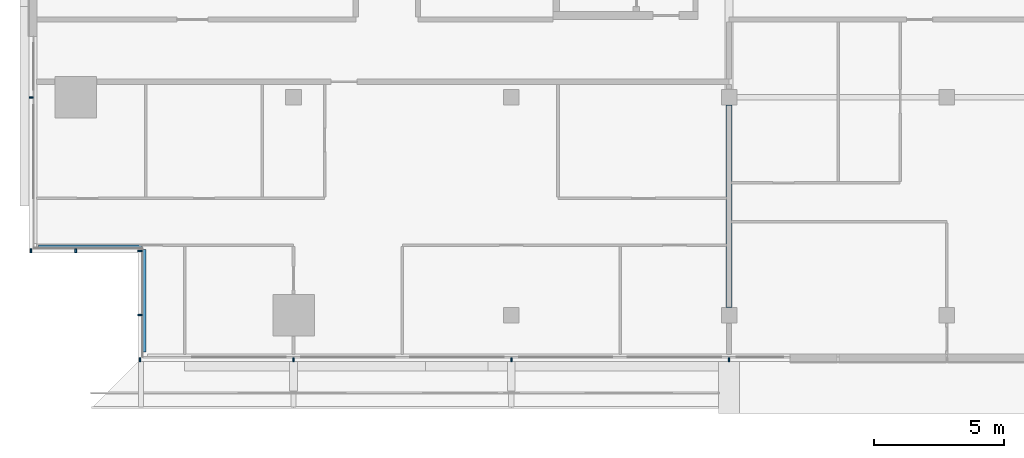
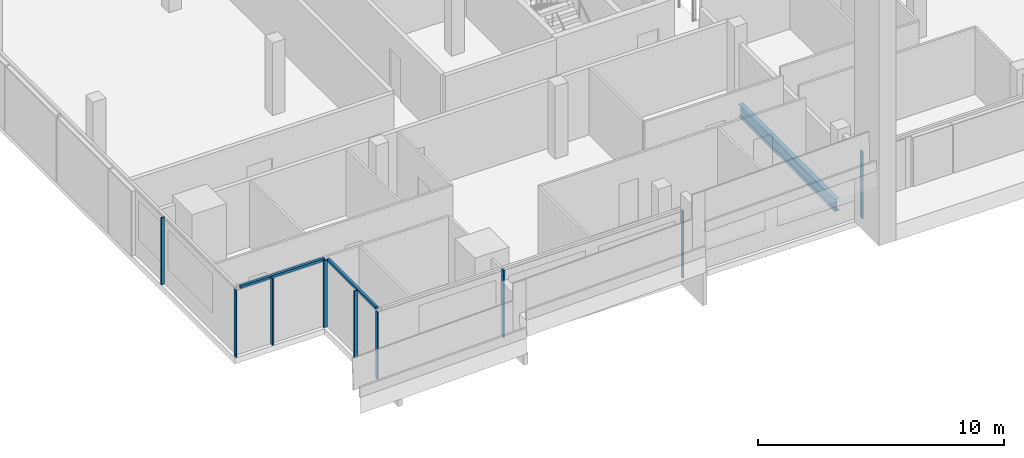
# One storey, part 2 of 31: 11 members, 1 beam, 4 elements without a shape of their own.
"""IFC4 building model written with IfcOpenShell, lengths in metres."""

from ifc_helpers import new_model, si_unit, direction, frame, origin, origin_2d, place, context, subcontext, project, spatial, rectangle, i_section, extrude, material, material_profile, profile_set, type_object, element, aggregate, save


model = new_model("IFC4")

# Units and contexts
model_context = context("Model", 3, precision=1e-05, world=origin(), true_north=direction((0.0, 1.0)))
body_context = subcontext(model_context, "Body", "Model", "MODEL_VIEW")
ifc_project = project(units=[si_unit("LENGTHUNIT", "METRE"), si_unit("AREAUNIT", "SQUARE_METRE"), si_unit("VOLUMEUNIT", "CUBIC_METRE"), si_unit("PLANEANGLEUNIT", "RADIAN"), si_unit("MASSUNIT", "GRAM", prefix="KILO")], contexts=[model_context])

# Site, building, storey
site_placement = place(None, origin())
site = spatial("IfcSite", under=ifc_project, at=site_placement, CompositionType="ELEMENT")
building_placement = place(site_placement, origin())
building = spatial("IfcBuilding", under=site, at=building_placement, Name="Saffron Gate Tower", CompositionType="ELEMENT")
storey_placement = place(building_placement, frame((0.0, 0.0, 205.5)))
storey = spatial("IfcBuildingStorey", under=building, at=storey_placement, Name="L49", CompositionType="ELEMENT", Elevation=205.5)

# Beam
ifc_material_1 = material(Name="Structural steel S355", Category="steel")
ifc_material_profile_1 = material_profile(ifc_material_1, i_section(OverallWidth=0.219970703125, OverallDepth=0.60009765625, WebThickness=0.011962890625, FlangeThickness=0.01904296875, FilletRadius=0.02392578125, at=origin_2d()))
ifc_profile_set_1 = profile_set([ifc_material_profile_1], Name="Structural steel S355")
beam_type = type_object("IfcBeamType", Name="B15 IPE 600", PredefinedType="BEAM", material=ifc_profile_set_1)
beam_placement = place(storey_placement, frame((75.0, 32.10009765625, -0.580078125), z_axis=(0.0, 1.0, 0.0), x_axis=(-1.0, 0.0, 0.0)))
element("IfcBeam", 1, at=beam_placement, inside=storey, type_object=beam_type, Name="B15 FLOOR GIRDER", PredefinedType="BEAM", context=body_context, shape_type="SweptSolid", body=[
    extrude(i_section(OverallWidth=0.219970703125, OverallDepth=0.60009765625, WebThickness=0.011962890625, FlangeThickness=0.01904296875, FilletRadius=0.02392578125, at=origin_2d()), origin(), (0.0, 0.0, 1.0), 7.7998046875),
])

# Curtain wall, members
ifc_material_2 = material(Name="Aluminium, bronze anodised", Category="aluminium")
curtain_wall_type_1 = type_object("IfcCurtainWallType", Name="CWS1 curtain wall front facade", PredefinedType="NOTDEFINED", material=ifc_material_2)
curtain_wall_1_placement = place(storey_placement, origin())
curtain_wall_1 = element("IfcCurtainWall", 2, at=curtain_wall_1_placement, inside=storey, type_object=curtain_wall_type_1, Name="CWS1 run 1", PredefinedType="NOTDEFINED")
ifc_material_profile_2 = material_profile(ifc_material_2, rectangle(XDim=0.159912109375, YDim=0.06005859375, at=origin_2d()))
ifc_profile_set_2 = profile_set([ifc_material_profile_2], Name="Aluminium, bronze anodised")
member_type_1 = type_object("IfcMemberType", Name="CWS1 mullion 60x160", PredefinedType="MULLION", material=ifc_profile_set_2)
member_1_placement = place(storey_placement, frame((52.280029296875, 30.080078125, 0.0), z_axis=(0.0, 0.0, 1.0), x_axis=(0.0, 1.0, 0.0)))
member_1 = element("IfcMember", 3, at=member_1_placement, type_object=member_type_1, Name="CWS1 mullion 1", PredefinedType="MULLION", context=body_context, shape_type="SweptSolid", body=[
    extrude(rectangle(XDim=0.159912109375, YDim=0.06005859375, at=origin_2d()), origin(), (0.0, 0.0, 1.0), 3.320068359375),
])
member_2_placement = place(storey_placement, frame((58.199951171875, 30.080078125, 0.0), z_axis=(0.0, 0.0, 1.0), x_axis=(0.0, 1.0, 0.0)))
member_2 = element("IfcMember", 4, at=member_2_placement, type_object=member_type_1, Name="CWS1 mullion 2", PredefinedType="MULLION", context=body_context, shape_type="SweptSolid", body=[
    extrude(rectangle(XDim=0.159912109375, YDim=0.06005859375, at=origin_2d()), origin(), (0.0, 0.0, 1.0), 3.320068359375),
])
member_3_placement = place(storey_placement, frame((66.60009765625, 30.080078125, 0.0), z_axis=(0.0, 0.0, 1.0), x_axis=(0.0, 1.0, 0.0)))
member_3 = element("IfcMember", 5, at=member_3_placement, type_object=member_type_1, Name="CWS1 mullion 3", PredefinedType="MULLION", context=body_context, shape_type="SweptSolid", body=[
    extrude(rectangle(XDim=0.159912109375, YDim=0.06005859375, at=origin_2d()), origin(), (0.0, 0.0, 1.0), 3.320068359375),
])
member_4_placement = place(storey_placement, frame((75.0, 30.080078125, 0.0), z_axis=(0.0, 0.0, 1.0), x_axis=(0.0, 1.0, 0.0)))
member_4 = element("IfcMember", 6, at=member_4_placement, type_object=member_type_1, Name="CWS1 mullion 4", PredefinedType="MULLION", context=body_context, shape_type="SweptSolid", body=[
    extrude(rectangle(XDim=0.159912109375, YDim=0.06005859375, at=origin_2d()), origin(), (0.0, 0.0, 1.0), 3.320068359375),
])
aggregate(curtain_wall_1, [member_1, member_2, member_3, member_4])

# Curtain wall, member
curtain_wall_type_2 = type_object("IfcCurtainWallType", Name="CWS2 curtain wall side facades", PredefinedType="NOTDEFINED", material=ifc_material_2)
curtain_wall_2_placement = place(storey_placement, origin())
curtain_wall_2 = element("IfcCurtainWall", 7, at=curtain_wall_2_placement, inside=storey, type_object=curtain_wall_type_2, Name="CWS2 run 10", PredefinedType="NOTDEFINED")
ifc_material_profile_3 = material_profile(ifc_material_2, rectangle(XDim=0.159912109375, YDim=0.06005859375, at=origin_2d()))
ifc_profile_set_3 = profile_set([ifc_material_profile_3], Name="Aluminium, bronze anodised")
member_type_2 = type_object("IfcMemberType", Name="CWS2 mullion 60x160", PredefinedType="MULLION", material=ifc_profile_set_3)
member_5_placement = place(storey_placement, frame((48.080078125, 40.199951171875, 0.0), z_axis=(0.0, 0.0, 1.0), x_axis=(1.0, 0.0, 0.0)))
member_5 = element("IfcMember", 8, at=member_5_placement, type_object=member_type_2, Name="CWS2 mullion 5", PredefinedType="MULLION", context=body_context, shape_type="SweptSolid", body=[
    extrude(rectangle(XDim=0.159912109375, YDim=0.06005859375, at=origin_2d()), origin(), (0.0, 0.0, 1.0), 3.320068359375),
])
aggregate(curtain_wall_2, [member_5])

curtain_wall_type_3 = type_object("IfcCurtainWallType", Name="CWS4 curtain wall corner returns", PredefinedType="NOTDEFINED", material=ifc_material_2)
curtain_wall_3_placement = place(storey_placement, origin())
curtain_wall_3 = element("IfcCurtainWall", 9, at=curtain_wall_3_placement, inside=storey, type_object=curtain_wall_type_3, Name="CWS4 run 11", PredefinedType="NOTDEFINED")
ifc_material_profile_4 = material_profile(ifc_material_2, rectangle(XDim=0.1201171875, YDim=0.1201171875, at=origin_2d()))
ifc_profile_set_4 = profile_set([ifc_material_profile_4], Name="Aluminium, bronze anodised")
member_type_3 = type_object("IfcMemberType", Name="CWS4 head transom", PredefinedType="USERDEFINED", material=ifc_profile_set_4)
member_6_placement = place(storey_placement, frame((48.367919921875, 34.447998046875, 3.260009765625), z_axis=(1.0, 0.0, 0.0), x_axis=(0.0, 1.0, 0.0)))
member_6 = element("IfcMember", 10, at=member_6_placement, type_object=member_type_3, Name="CWS4 head transom", ObjectType="TRANSOM", PredefinedType="USERDEFINED", context=body_context, shape_type="SweptSolid", body=[
    extrude(rectangle(XDim=0.1201171875, YDim=0.1201171875, at=origin_2d()), origin(), (0.0, 0.0, 1.0), 3.9599609375),
])

curtain_wall_4_placement = place(storey_placement, origin())
curtain_wall_4 = element("IfcCurtainWall", 11, at=curtain_wall_4_placement, inside=storey, type_object=curtain_wall_type_3, Name="CWS4 run 12", PredefinedType="NOTDEFINED")
member_7_placement = place(storey_placement, frame((52.447998046875, 34.327880859375, 3.260009765625), z_axis=(0.0, -1.0, 0.0), x_axis=(1.0, 0.0, 0.0)))
member_7 = element("IfcMember", 12, at=member_7_placement, type_object=member_type_3, Name="CWS4 head transom", ObjectType="TRANSOM", PredefinedType="USERDEFINED", context=body_context, shape_type="SweptSolid", body=[
    extrude(rectangle(XDim=0.1201171875, YDim=0.1201171875, at=origin_2d()), origin(), (0.0, 0.0, 1.0), 3.9599609375),
])

# Member
ifc_material_profile_5 = material_profile(ifc_material_2, rectangle(XDim=0.159912109375, YDim=0.06005859375, at=origin_2d()))
ifc_profile_set_5 = profile_set([ifc_material_profile_5], Name="Aluminium, bronze anodised")
member_type_4 = type_object("IfcMemberType", Name="CWS4 mullion 60x160", PredefinedType="MULLION", material=ifc_profile_set_5)
member_8_placement = place(storey_placement, frame((48.080078125, 34.280029296875, 0.0), z_axis=(0.0, 0.0, 1.0), x_axis=(0.0, 1.0, 0.0)))
member_8 = element("IfcMember", 13, at=member_8_placement, type_object=member_type_4, Name="CWS4 mullion 1", PredefinedType="MULLION", context=body_context, shape_type="SweptSolid", body=[
    extrude(rectangle(XDim=0.159912109375, YDim=0.06005859375, at=origin_2d()), origin(), (0.0, 0.0, 1.0), 3.320068359375),
])

member_9_placement = place(storey_placement, frame((49.800048828125, 34.280029296875, 0.0), z_axis=(0.0, 0.0, 1.0), x_axis=(0.0, 1.0, 0.0)))
member_9 = element("IfcMember", 14, at=member_9_placement, type_object=member_type_4, Name="CWS4 mullion 2", PredefinedType="MULLION", context=body_context, shape_type="SweptSolid", body=[
    extrude(rectangle(XDim=0.159912109375, YDim=0.06005859375, at=origin_2d()), origin(), (0.0, 0.0, 1.0), 3.320068359375),
])

aggregate(curtain_wall_3, [member_8, member_9, member_6])

member_10_placement = place(storey_placement, frame((52.280029296875, 34.280029296875, 0.0), z_axis=(0.0, 0.0, 1.0), x_axis=(1.0, 0.0, 0.0)))
member_10 = element("IfcMember", 15, at=member_10_placement, type_object=member_type_4, Name="CWS4 mullion 1", PredefinedType="MULLION", context=body_context, shape_type="SweptSolid", body=[
    extrude(rectangle(XDim=0.159912109375, YDim=0.06005859375, at=origin_2d()), origin(), (0.0, 0.0, 1.0), 3.320068359375),
])

member_11_placement = place(storey_placement, frame((52.280029296875, 31.800048828125, 0.0), z_axis=(0.0, 0.0, 1.0), x_axis=(1.0, 0.0, 0.0)))
member_11 = element("IfcMember", 16, at=member_11_placement, type_object=member_type_4, Name="CWS4 mullion 2", PredefinedType="MULLION", context=body_context, shape_type="SweptSolid", body=[
    extrude(rectangle(XDim=0.159912109375, YDim=0.06005859375, at=origin_2d()), origin(), (0.0, 0.0, 1.0), 3.320068359375),
])

aggregate(curtain_wall_4, [member_10, member_11, member_7])

save(model, "model.ifc")
